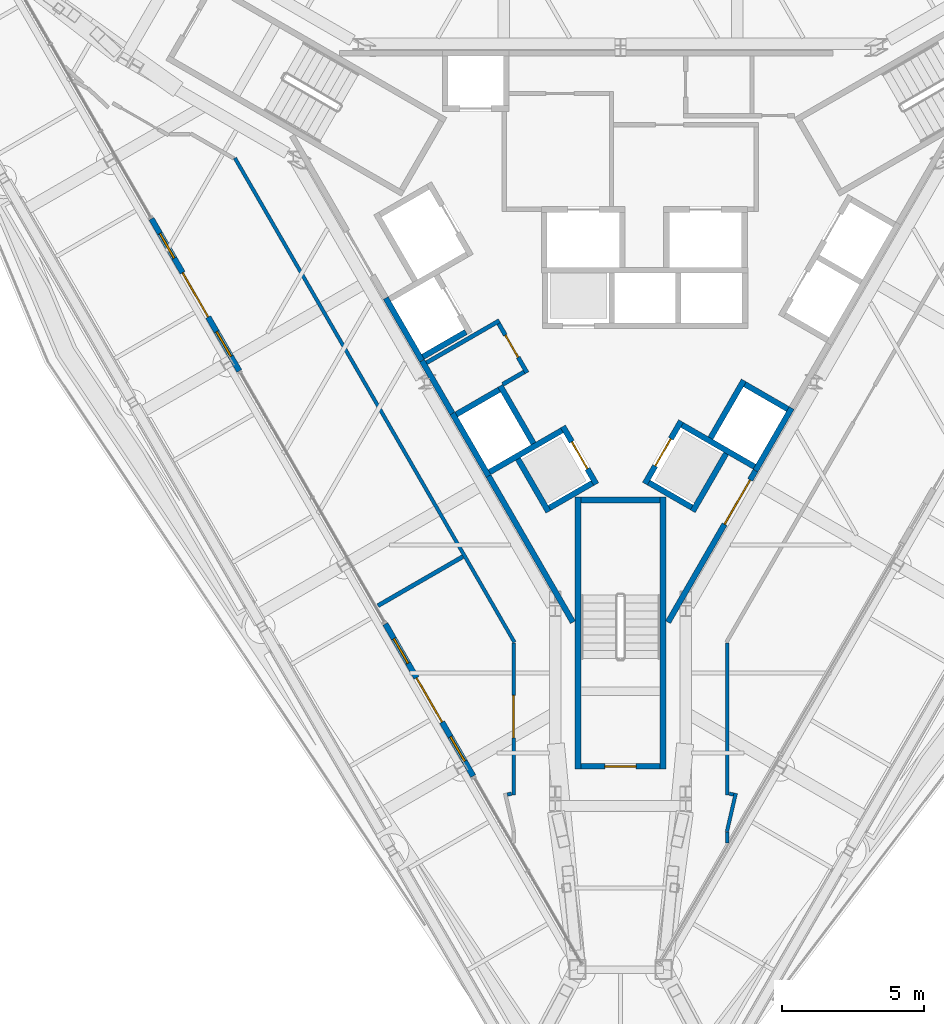
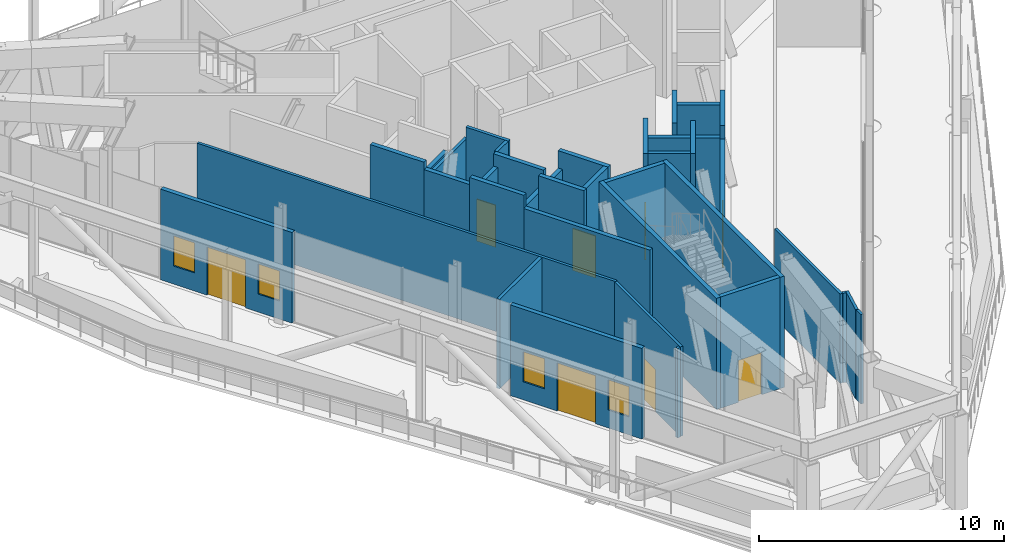
# One storey, part 15 of 25: 36 walls, 8 doors, 4 windows, 12 openings.
"""IFC4 building model written with IfcOpenShell, lengths in metres."""

from ifc_helpers import new_model, si_unit, direction, frame, frame_2d, origin, place, context, subcontext, project, spatial, rectangle, extrude, material, layer, layer_set, type_object, element, fill, save


model = new_model("IFC4")

# Units and contexts
model_context = context("Model", 3, precision=1e-05, world=origin(), true_north=direction((0.0, 1.0)))
body_context = subcontext(model_context, "Body", "Model", "MODEL_VIEW")
ifc_project = project(units=[si_unit("LENGTHUNIT", "METRE"), si_unit("AREAUNIT", "SQUARE_METRE"), si_unit("VOLUMEUNIT", "CUBIC_METRE"), si_unit("PLANEANGLEUNIT", "RADIAN"), si_unit("MASSUNIT", "GRAM", prefix="KILO")], contexts=[model_context])

# Site, building, storey
site_placement = place(None, origin())
site = spatial("IfcSite", under=ifc_project, at=site_placement, CompositionType="ELEMENT")
building_placement = place(site_placement, origin())
building = spatial("IfcBuilding", under=site, at=building_placement, Name="Verrane Prism Tower", CompositionType="ELEMENT")
storey_placement = place(building_placement, frame((0.0, 0.0, 258.199951171875)))
storey = spatial("IfcBuildingStorey", under=building, at=storey_placement, Name="L65", CompositionType="ELEMENT", Elevation=258.199951171875)

# Walls
ifc_material_1 = material(Name="Gypsum board partition", Category="other")
ifc_layer_1 = layer(ifc_material_1, 0.199951171875)
ifc_layer_set_1 = layer_set([ifc_layer_1], Name="CW-200 core boundary wall 2 h")
wall_type_1 = type_object("IfcWallType", Name="CW-200 core boundary wall 2 h", PredefinedType="PARTITIONING", material=ifc_layer_set_1)
wall_1_placement = place(storey_placement, frame((-7.0048828125, -3.18701171875, 0.0), z_axis=(0.0, 0.0, 1.0), x_axis=(0.50031363248, -0.86584425225, 0.0)))
element("IfcWall", 1, at=wall_1_placement, inside=storey, type_object=wall_type_1, Name="Core boundary wall CW3-003", PredefinedType="PARTITIONING", context=body_context, shape_type="SweptSolid", body=[
    extrude(rectangle(XDim=2.14453125, YDim=0.199951171875, at=frame_2d((1.072265625, 0.0))), origin(), (0.0, 0.0, 1.0), 5.1904296875),
])
wall_2_placement = place(storey_placement, frame((-4.655029296875, -7.257080078125, 0.0), z_axis=(0.0, 0.0, 1.0), x_axis=(0.499966124405, -0.866044960985, 0.0)))
element("IfcWall", 2, at=wall_2_placement, inside=storey, type_object=wall_type_1, Name="Core boundary wall CW3-004", PredefinedType="PARTITIONING", context=body_context, shape_type="SweptSolid", body=[
    extrude(rectangle(XDim=5.95556640625, YDim=0.199951171875, at=frame_2d((2.977783203125, 0.0))), origin(), (0.0, 0.0, 1.0), 4.896728515625),
])

# Wall, opening, door
wall_3_placement = place(storey_placement, frame((1.677490234375, -12.414794921875, 0.0), z_axis=(0.0, 0.0, 1.0), x_axis=(0.500054337157, 0.865994029939, 0.0)))
wall_3 = element("IfcWall", 3, at=wall_3_placement, inside=storey, type_object=wall_type_1, Name="Core boundary wall CW3-006", PredefinedType="PARTITIONING", context=body_context, shape_type="SweptSolid", body=[
    extrude(rectangle(XDim=6.176513671875, YDim=0.199951171875, at=frame_2d((3.08837890625, 0.0))), origin(), (0.0, 0.0, 1.0), 4.896728515625),
])
opening_1_placement = place(wall_3_placement, frame((3.9951171875, 0.0, 0.0)))
opening_1 = element("IfcOpeningElement", 4, at=opening_1_placement, cuts=wall_3, Name="Opening D65517", PredefinedType="OPENING", context=body_context, shape_type="SweptSolid", body=[
    extrude(rectangle(XDim=1.800048828125, YDim=2.10009765625, at=frame_2d((0.89990234375, 1.050048828125))), frame((0.0, 0.10986328125, 0.0), z_axis=(0.0, -1.0, 0.0), x_axis=(1.0, 0.0, 0.0)), (0.0, 0.0, 1.0), 0.219970703125),
])
ifc_material_2 = material(Name="Timber veneered door leaf", Category="wood")
door_type_1 = type_object("IfcDoorType", Name="DR-1800x2100 FD60 double leaf lift lobby", OperationType="NOTDEFINED", PredefinedType="DOOR", material=ifc_material_2)
door_1_placement = place(opening_1_placement, origin())
door_1 = element("IfcDoor", 5, at=door_1_placement, inside=storey, type_object=door_type_1, Name="Lift lobby door D65517", OperationType="DOUBLE_DOOR_SINGLE_SWING", OverallHeight=2.10009765625, OverallWidth=1.800048828125, PredefinedType="DOOR", context=body_context, shape_type="SweptSolid", body=[
    extrude(rectangle(XDim=1.800048828125, YDim=2.10009765625, at=frame_2d((0.89990234375, 1.050048828125))), frame((0.0, 0.02490234375, 0.0), z_axis=(0.0, -1.0, 0.0), x_axis=(1.0, 0.0, 0.0)), (0.0, 0.0, 1.0), 0.050048828125),
])
fill(opening_1, door_1)

ifc_material_3 = material(Name="Concrete C40/50", Category="concrete")
ifc_layer_2 = layer(ifc_material_3, 0.199951171875)
ifc_layer_set_2 = layer_set([ifc_layer_2], Name="CW-200 stair core wall concrete C40/50 3 h")
wall_type_2 = type_object("IfcWallType", Name="CW-200 stair core wall concrete C40/50 3 h", PredefinedType="PARTITIONING", material=ifc_layer_set_2)
wall_4_placement = place(storey_placement, frame((-1.39990234375, -17.5, 0.0), z_axis=(0.0, 0.0, 1.0), x_axis=(1.0, 0.0, 0.0)))
wall_4 = element("IfcWall", 6, at=wall_4_placement, inside=storey, type_object=wall_type_2, Name="Stair 3 enclosure wall", PredefinedType="PARTITIONING", context=body_context, shape_type="SweptSolid", body=[
    extrude(rectangle(XDim=2.7998046875, YDim=0.199951171875, at=frame_2d((1.39990234375, 0.0))), origin(), (0.0, 0.0, 1.0), 5.550048828125),
])
opening_2_placement = place(wall_4_placement, frame((0.85009765625, 0.0, 0.0)))
opening_2 = element("IfcOpeningElement", 7, at=opening_2_placement, cuts=wall_4, Name="Opening D65502", PredefinedType="OPENING", context=body_context, shape_type="SweptSolid", body=[
    extrude(rectangle(XDim=1.10009765625, YDim=2.10009765625, at=frame_2d((0.550048828125, 1.050048828125))), frame((0.0, 0.10986328125, 0.0), z_axis=(0.0, -1.0, 0.0), x_axis=(1.0, 0.0, 0.0)), (0.0, 0.0, 1.0), 0.219970703125),
])
ifc_material_4 = material(Name="Timber veneered door leaf", Category="wood")
door_type_2 = type_object("IfcDoorType", Name="DR-1100x2100 FD90 single leaf stair", OperationType="NOTDEFINED", PredefinedType="DOOR", material=ifc_material_4)
door_2_placement = place(opening_2_placement, origin())
door_2 = element("IfcDoor", 8, at=door_2_placement, inside=storey, type_object=door_type_2, Name="Stair 3 door", OperationType="SINGLE_SWING_LEFT", OverallHeight=2.10009765625, OverallWidth=1.10009765625, PredefinedType="DOOR", context=body_context, shape_type="SweptSolid", body=[
    extrude(rectangle(XDim=1.10009765625, YDim=2.10009765625, at=frame_2d((0.550048828125, 1.050048828125))), frame((0.0, 0.02490234375, 0.0), z_axis=(0.0, -1.0, 0.0), x_axis=(1.0, 0.0, 0.0)), (0.0, 0.0, 1.0), 0.050048828125),
])
fill(opening_2, door_2)

# Walls
for number, where, z_axis, x_axis, name in (
    (9, (1.5, -8.0, 0.0), (0.0, 0.0, 1.0), (0.0, -1.0, 0.0), "Stair 3 enclosure wall"),
    (10, (-1.5, -8.0, 0.0), (0.0, 0.0, 1.0), (0.0, -1.0, 0.0), "Stair 3 enclosure wall"),
):
    element("IfcWall", number, at=place(storey_placement, frame(where, z_axis=z_axis, x_axis=x_axis)), inside=storey, type_object=wall_type_2, Name=name, PredefinedType="PARTITIONING", context=body_context, shape_type="SweptSolid", body=[
        extrude(rectangle(XDim=9.60009765625, YDim=0.199951171875, at=frame_2d((4.800048828125, 0.0))), origin(), (0.0, 0.0, 1.0), 5.550048828125),
    ])
wall_5_placement = place(storey_placement, frame((-1.39990234375, -8.10009765625, 0.0), z_axis=(0.0, 0.0, 1.0), x_axis=(1.0, 0.0, 0.0)))
element("IfcWall", 11, at=wall_5_placement, inside=storey, type_object=wall_type_2, Name="Stair 3 enclosure wall", PredefinedType="PARTITIONING", context=body_context, shape_type="SweptSolid", body=[
    extrude(rectangle(XDim=2.7998046875, YDim=0.199951171875, at=frame_2d((1.39990234375, 0.0))), origin(), (0.0, 0.0, 1.0), 5.550048828125),
])
ifc_material_5 = material(Name="Gypsum board shaft wall assembly", Category="other")
ifc_layer_3 = layer(ifc_material_5, 0.199951171875)
ifc_layer_set_3 = layer_set([ifc_layer_3], Name="HW-200 lift shaft wall 2 h")
wall_type_3 = type_object("IfcWallType", Name="HW-200 lift shaft wall 2 h", PredefinedType="PARTITIONING", material=ifc_layer_set_3)
wall_6_placement = place(storey_placement, frame((-2.50537109375, -8.38037109375, 0.0), z_axis=(0.0, 0.0, 1.0), x_axis=(0.866002029911, 0.500040482552, 0.0)))
element("IfcWall", 12, at=wall_6_placement, inside=storey, type_object=wall_type_3, Name="Lift shaft wall", PredefinedType="PARTITIONING", context=body_context, shape_type="SweptSolid", body=[
    extrude(rectangle(XDim=1.749755859375, YDim=0.199951171875, at=frame_2d((0.875, 0.0))), origin(), (0.0, 0.0, 1.0), 5.800048828125),
])
wall_7_placement = place(storey_placement, frame((-4.61962890625, -7.118408203125, 0.0), z_axis=(0.0, 0.0, 1.0), x_axis=(0.866039495442, 0.49997559174, 0.0)))
element("IfcWall", 13, at=wall_7_placement, inside=storey, type_object=wall_type_3, Name="Lift shaft wall", PredefinedType="PARTITIONING", context=body_context, shape_type="SweptSolid", body=[
    extrude(rectangle(XDim=2.949951171875, YDim=0.199951171875, at=frame_2d((1.47509765625, 0.0))), origin(), (0.0, 0.0, 1.0), 4.932861328125),
])
for number, where, z_axis, x_axis, name in (
    (14, (-5.794677734375, -5.083251953125, 0.0), (0.0, 0.0, 1.0), (0.866036909293, 0.499980071345, 0.0), "Lift shaft wall"),
    (15, (-6.9697265625, -3.048095703125, 0.0), (0.0, 0.0, 1.0), (0.866036909293, 0.499980071345, 0.0), "Lift shaft wall"),
):
    element("IfcWall", number, at=place(storey_placement, frame(where, z_axis=z_axis, x_axis=x_axis)), inside=storey, type_object=wall_type_3, Name=name, PredefinedType="PARTITIONING", context=body_context, shape_type="SweptSolid", body=[
        extrude(rectangle(XDim=1.75, YDim=0.199951171875, at=frame_2d((0.875, 0.0))), origin(), (0.0, 0.0, 1.0), 4.932861328125),
    ])
wall_8_placement = place(storey_placement, frame((4.766357421875, -7.064697265625, 0.0), z_axis=(0.0, 0.0, 1.0), x_axis=(0.499948979701, 0.866054858364, 0.0)))
element("IfcWall", 16, at=wall_8_placement, inside=storey, type_object=wall_type_3, Name="Lift shaft wall", PredefinedType="PARTITIONING", context=body_context, shape_type="SweptSolid", body=[
    extrude(rectangle(XDim=2.550048828125, YDim=0.199951171875, at=frame_2d((1.27490234375, 0.0))), origin(), (0.0, 0.0, 1.0), 5.550048828125),
])
wall_9_placement = place(storey_placement, frame((2.552001953125, -8.499755859375, 0.0), z_axis=(0.0, 0.0, 1.0), x_axis=(0.500016218704, 0.866016039709, 0.0)))
element("IfcWall", 17, at=wall_9_placement, inside=storey, type_object=wall_type_3, Name="Lift shaft wall", PredefinedType="PARTITIONING", context=body_context, shape_type="SweptSolid", body=[
    extrude(rectangle(XDim=2.35009765625, YDim=0.199951171875, at=frame_2d((1.175048828125, 0.0))), origin(), (0.0, 0.0, 1.0), 5.800048828125),
])
wall_10_placement = place(storey_placement, frame((3.177490234375, -5.91650390625, 0.0), z_axis=(0.0, 0.0, 1.0), x_axis=(0.500016218704, 0.866016039709, 0.0)))
element("IfcWall", 18, at=wall_10_placement, inside=storey, type_object=wall_type_3, Name="Lift shaft wall", PredefinedType="PARTITIONING", context=body_context, shape_type="SweptSolid", body=[
    extrude(rectangle(XDim=2.35009765625, YDim=0.199951171875, at=frame_2d((1.175048828125, 0.0))), origin(), (0.0, 0.0, 1.0), 5.550048828125),
])

# Wall, opening, door
wall_11_placement = place(storey_placement, frame((0.86328125, -7.524658203125, 0.0), z_axis=(0.0, 0.0, 1.0), x_axis=(0.499990435942, 0.866030925526, 0.0)))
wall_11 = element("IfcWall", 19, at=wall_11_placement, inside=storey, type_object=wall_type_3, Name="Lift shaft wall", PredefinedType="PARTITIONING", context=body_context, shape_type="SweptSolid", body=[
    extrude(rectangle(XDim=2.5498046875, YDim=0.199951171875, at=frame_2d((1.27490234375, 0.0))), origin(), (0.0, 0.0, 1.0), 5.800048828125),
])
opening_3_placement = place(wall_11_placement, frame((0.72509765625, 0.0, 0.0)))
opening_3 = element("IfcOpeningElement", 20, at=opening_3_placement, cuts=wall_11, Name="Opening D65509", PredefinedType="OPENING", context=body_context, shape_type="SweptSolid", body=[
    extrude(rectangle(XDim=1.10009765625, YDim=2.10009765625, at=frame_2d((0.550048828125, 1.050048828125))), frame((0.0, 0.10986328125, 0.0), z_axis=(0.0, -1.0, 0.0), x_axis=(1.0, 0.0, 0.0)), (0.0, 0.0, 1.0), 0.219970703125),
])
ifc_material_6 = material(Name="Stainless steel sliding landing door", Category="steel")
door_type_3 = type_object("IfcDoorType", Name="LD-1100x2100 lift landing door FD90 sliding", OperationType="NOTDEFINED", PredefinedType="DOOR", material=ifc_material_6)
door_3_placement = place(opening_3_placement, origin())
door_3 = element("IfcDoor", 21, at=door_3_placement, inside=storey, type_object=door_type_3, Name="Bank C lift 3 landing door", OperationType="SLIDING_TO_LEFT", OverallHeight=2.10009765625, OverallWidth=1.10009765625, PredefinedType="DOOR", context=body_context, shape_type="SweptSolid", body=[
    extrude(rectangle(XDim=1.10009765625, YDim=2.10009765625, at=frame_2d((0.550048828125, 1.050048828125))), frame((0.0, 0.02490234375, 0.0), z_axis=(0.0, -1.0, 0.0), x_axis=(1.0, 0.0, 0.0)), (0.0, 0.0, 1.0), 0.050048828125),
])
fill(opening_3, door_3)

wall_12_placement = place(storey_placement, frame((-0.853271484375, -7.5419921875, 0.0), z_axis=(0.0, 0.0, 1.0), x_axis=(-0.500016218704, 0.866016039709, 0.0)))
wall_12 = element("IfcWall", 22, at=wall_12_placement, inside=storey, type_object=wall_type_3, Name="Lift shaft wall", PredefinedType="PARTITIONING", context=body_context, shape_type="SweptSolid", body=[
    extrude(rectangle(XDim=2.35009765625, YDim=0.199951171875, at=frame_2d((1.175048828125, 0.0))), origin(), (0.0, 0.0, 1.0), 5.800048828125),
])
opening_4_placement = place(wall_12_placement, frame((0.625, 0.0, 0.0)))
opening_4 = element("IfcOpeningElement", 23, at=opening_4_placement, cuts=wall_12, Name="Opening D65507", PredefinedType="OPENING", context=body_context, shape_type="SweptSolid", body=[
    extrude(rectangle(XDim=1.10009765625, YDim=2.10009765625, at=frame_2d((0.550048828125, 1.050048828125))), frame((0.0, 0.10986328125, 0.0), z_axis=(0.0, -1.0, 0.0), x_axis=(1.0, 0.0, 0.0)), (0.0, 0.0, 1.0), 0.219970703125),
])
door_4_placement = place(opening_4_placement, origin())
door_4 = element("IfcDoor", 24, at=door_4_placement, inside=storey, type_object=door_type_3, Name="Bank C lift 1 landing door", OperationType="SLIDING_TO_LEFT", OverallHeight=2.10009765625, OverallWidth=1.10009765625, PredefinedType="DOOR", context=body_context, shape_type="SweptSolid", body=[
    extrude(rectangle(XDim=1.10009765625, YDim=2.10009765625, at=frame_2d((0.550048828125, 1.050048828125))), frame((0.0, 0.02490234375, 0.0), z_axis=(0.0, -1.0, 0.0), x_axis=(1.0, 0.0, 0.0)), (0.0, 0.0, 1.0), 0.050048828125),
])
fill(opening_4, door_4)

# Walls
wall_13_placement = place(storey_placement, frame((-3.067626953125, -6.10693359375, 0.0), z_axis=(0.0, 0.0, 1.0), x_axis=(-0.499938297808, 0.866061024631, 0.0)))
element("IfcWall", 25, at=wall_13_placement, inside=storey, type_object=wall_type_3, Name="Lift shaft wall", PredefinedType="PARTITIONING", context=body_context, shape_type="SweptSolid", body=[
    extrude(rectangle(XDim=2.349853515625, YDim=0.199951171875, at=frame_2d((1.1748046875, 0.0))), origin(), (0.0, 0.0, 1.0), 5.550048828125),
])
wall_14_placement = place(storey_placement, frame((-2.5419921875, -8.51708984375, 0.0), z_axis=(0.0, 0.0, 1.0), x_axis=(-0.499961633463, 0.866047553582, 0.0)))
element("IfcWall", 26, at=wall_14_placement, inside=storey, type_object=wall_type_3, Name="Lift shaft wall", PredefinedType="PARTITIONING", context=body_context, shape_type="SweptSolid", body=[
    extrude(rectangle(XDim=2.150146484375, YDim=0.199951171875, at=frame_2d((1.0751953125, 0.0))), origin(), (0.0, 0.0, 1.0), 5.800048828125),
])
for number, where, z_axis, x_axis, name in (
    (27, (-4.65625, -7.255126953125, 0.0), (0.0, 0.0, 1.0), (-0.499990435942, 0.866030925526, 0.0), "Lift shaft wall"),
    (28, (-7.00634765625, -3.184814453125, 0.0), (0.0, 0.0, 1.0), (-0.499990435942, 0.866030925526, 0.0), "Lift shaft wall"),
):
    element("IfcWall", number, at=place(storey_placement, frame(where, z_axis=z_axis, x_axis=x_axis)), inside=storey, type_object=wall_type_3, Name=name, PredefinedType="PARTITIONING", context=body_context, shape_type="SweptSolid", body=[
        extrude(rectangle(XDim=2.5498046875, YDim=0.199951171875, at=frame_2d((1.27490234375, 0.0))), origin(), (0.0, 0.0, 1.0), 5.550048828125),
    ])
wall_15_placement = place(storey_placement, frame((5.904541015625, -4.892822265625, 0.0), z_axis=(0.0, 0.0, 1.0), x_axis=(-0.866002029911, 0.500040482552, 0.0)))
element("IfcWall", 29, at=wall_15_placement, inside=storey, type_object=wall_type_3, Name="Lift shaft wall", PredefinedType="PARTITIONING", context=body_context, shape_type="SweptSolid", body=[
    extrude(rectangle(XDim=1.749755859375, YDim=0.199951171875, at=frame_2d((0.875, 0.0))), origin(), (0.0, 0.0, 1.0), 4.932861328125),
])
wall_16_placement = place(storey_placement, frame((4.729736328125, -6.927978515625, 0.0), z_axis=(0.0, 0.0, 1.0), x_axis=(-0.866024349092, 0.500001826776, 0.0)))
element("IfcWall", 30, at=wall_16_placement, inside=storey, type_object=wall_type_3, Name="Lift shaft wall", PredefinedType="PARTITIONING", context=body_context, shape_type="SweptSolid", body=[
    extrude(rectangle(XDim=2.9501953125, YDim=0.199951171875, at=frame_2d((1.47509765625, 0.0))), origin(), (0.0, 0.0, 1.0), 4.932861328125),
])
wall_17_placement = place(storey_placement, frame((2.515380859375, -8.36328125, 0.0), z_axis=(0.0, 0.0, 1.0), x_axis=(-0.866036909293, 0.499980071345, 0.0)))
element("IfcWall", 31, at=wall_17_placement, inside=storey, type_object=wall_type_3, Name="Lift shaft wall", PredefinedType="PARTITIONING", context=body_context, shape_type="SweptSolid", body=[
    extrude(rectangle(XDim=1.75, YDim=0.199951171875, at=frame_2d((0.875, 0.0))), origin(), (0.0, 0.0, 1.0), 5.800048828125),
])
ifc_material_7 = material(Name="Gypsum board partition", Category="other")
ifc_layer_4 = layer(ifc_material_7, 0.125)
ifc_layer_set_4 = layer_set([ifc_layer_4], Name="PW-125 corridor wall 1 h")
wall_type_4 = type_object("IfcWallType", Name="PW-125 corridor wall 1 h", PredefinedType="PARTITIONING", material=ifc_layer_set_4)
wall_18_placement = place(storey_placement, frame((-13.605224609375, 3.965087890625, 0.0), z_axis=(0.0, 0.0, 1.0), x_axis=(0.499986289957, -0.866033319137, 0.0)))
element("IfcWall", 32, at=wall_18_placement, inside=storey, type_object=wall_type_4, Name="Corridor wall 009", PredefinedType="PARTITIONING", context=body_context, shape_type="SweptSolid", body=[
    extrude(rectangle(XDim=19.7314453125, YDim=0.125, at=frame_2d((9.86572265625, 0.0))), origin(), (0.0, 0.0, 1.0), 4.462158203125),
])
wall_19_placement = place(storey_placement, frame((-3.99169921875, -18.49755859375, 0.0), z_axis=(0.0, 0.0, 1.0), x_axis=(0.974607944108, 0.223918188812, 0.0)))
element("IfcWall", 33, at=wall_19_placement, inside=storey, type_object=wall_type_4, Name="Corridor wall 014", PredefinedType="PARTITIONING", context=body_context, shape_type="SweptSolid", body=[
    extrude(rectangle(XDim=0.151611328125, YDim=0.125, at=frame_2d((0.07568359375, 0.0))), origin(), (0.0, 0.0, 1.0), 4.462158203125),
])

# Wall, opening, door
wall_20_placement = place(storey_placement, frame((-3.77099609375, -18.509521484375, 0.0), z_axis=(0.0, 0.0, 1.0), x_axis=(0.0, 1.0, 0.0)))
wall_20 = element("IfcWall", 34, at=wall_20_placement, inside=storey, type_object=wall_type_4, Name="Corridor wall 016", PredefinedType="PARTITIONING", context=body_context, shape_type="SweptSolid", body=[
    extrude(rectangle(XDim=5.35546875, YDim=0.125, at=frame_2d((2.677734375, 0.0))), origin(), (0.0, 0.0, 1.0), 4.462158203125),
])
opening_5_placement = place(wall_20_placement, frame((2.012451171875, 0.0, 0.0)))
opening_5 = element("IfcOpeningElement", 35, at=opening_5_placement, cuts=wall_20, Name="Opening D65005", PredefinedType="OPENING", context=body_context, shape_type="SweptSolid", body=[
    extrude(rectangle(XDim=1.5, YDim=2.10009765625, at=frame_2d((0.75, 1.050048828125))), frame((0.0, 0.072509765625, 0.0), z_axis=(0.0, -1.0, 0.0), x_axis=(1.0, 0.0, 0.0)), (0.0, 0.0, 1.0), 0.14501953125),
])
ifc_material_8 = material(Name="Timber veneered door leaf", Category="wood")
door_type_4 = type_object("IfcDoorType", Name="DR-1500x2100 FD60 double leaf unit", OperationType="NOTDEFINED", PredefinedType="DOOR", material=ifc_material_8)
door_5_placement = place(opening_5_placement, origin())
door_5 = element("IfcDoor", 36, at=door_5_placement, inside=storey, type_object=door_type_4, Name="Refuge Area door", OperationType="DOUBLE_DOOR_SINGLE_SWING", OverallHeight=2.10009765625, OverallWidth=1.5, PredefinedType="DOOR", context=body_context, shape_type="SweptSolid", body=[
    extrude(rectangle(XDim=1.5, YDim=2.10009765625, at=frame_2d((0.75, 1.050048828125))), frame((0.0, 0.02490234375, 0.0), z_axis=(0.0, -1.0, 0.0), x_axis=(1.0, 0.0, 0.0)), (0.0, 0.0, 1.0), 0.050048828125),
])
fill(opening_5, door_5)

# Walls
wall_21_placement = place(storey_placement, frame((3.77099609375, -20.199951171875, 0.0), z_axis=(0.0, 0.0, 1.0), x_axis=(0.0, 1.0, 0.0)))
element("IfcWall", 37, at=wall_21_placement, inside=storey, type_object=wall_type_4, Name="Corridor wall 018", PredefinedType="PARTITIONING", context=body_context, shape_type="SweptSolid", body=[
    extrude(rectangle(XDim=0.380859375, YDim=0.125, at=frame_2d((0.1904296875, 0.0))), origin(), (0.0, 0.0, 1.0), 4.462158203125),
])
wall_22_placement = place(storey_placement, frame((3.757080078125, -19.804931640625, 0.0), z_axis=(0.0, 0.0, 1.0), x_axis=(0.224589971175, 0.974453356938, 0.0)))
element("IfcWall", 38, at=wall_22_placement, inside=storey, type_object=wall_type_4, Name="Corridor wall 019", PredefinedType="PARTITIONING", context=body_context, shape_type="SweptSolid", body=[
    extrude(rectangle(XDim=1.38916015625, YDim=0.125, at=frame_2d((0.694580078125, 0.0))), origin(), (0.0, 0.0, 1.0), 4.462158203125),
])
wall_23_placement = place(storey_placement, frame((3.77099609375, -18.509521484375, 0.0), z_axis=(0.0, 0.0, 1.0), x_axis=(0.0, 1.0, 0.0)))
element("IfcWall", 39, at=wall_23_placement, inside=storey, type_object=wall_type_4, Name="Corridor wall 020", PredefinedType="PARTITIONING", context=body_context, shape_type="SweptSolid", body=[
    extrude(rectangle(XDim=5.35546875, YDim=0.125, at=frame_2d((2.677734375, 0.0))), origin(), (0.0, 0.0, 1.0), 4.462158203125),
])
wall_24_placement = place(storey_placement, frame((3.843994140625, -18.463623046875, 0.0), z_axis=(0.0, 0.0, 1.0), x_axis=(0.974607944108, -0.223918188812, 0.0)))
element("IfcWall", 40, at=wall_24_placement, inside=storey, type_object=wall_type_4, Name="Corridor wall 021", PredefinedType="PARTITIONING", context=body_context, shape_type="SweptSolid", body=[
    extrude(rectangle(XDim=0.151611328125, YDim=0.125, at=frame_2d((0.07568359375, 0.0))), origin(), (0.0, 0.0, 1.0), 4.462158203125),
])
ifc_material_9 = material(Name="Gypsum board partition", Category="other")
ifc_layer_5 = layer(ifc_material_9, 0.14990234375)
ifc_layer_set_5 = layer_set([ifc_layer_5], Name="PW-150 demising wall 1 h")
wall_type_5 = type_object("IfcWallType", Name="PW-150 demising wall 1 h", PredefinedType="PARTITIONING", material=ifc_layer_set_5)
wall_25_placement = place(storey_placement, frame((-8.556640625, -11.830810546875, 0.0), z_axis=(0.0, 0.0, 1.0), x_axis=(0.866053925764, 0.499950595228, 0.0)))
element("IfcWall", 41, at=wall_25_placement, inside=storey, type_object=wall_type_5, Name="Demising wall 012", PredefinedType="PARTITIONING", context=body_context, shape_type="SweptSolid", body=[
    extrude(rectangle(XDim=3.458251953125, YDim=0.14990234375, at=frame_2d((1.72900390625, 0.0))), origin(), (0.0, 0.0, 1.0), 4.462158203125),
])
ifc_material_10 = material(Name="Gypsum board partition", Category="other")
ifc_layer_6 = layer(ifc_material_10, 0.14990234375)
ifc_layer_set_6 = layer_set([ifc_layer_6], Name="RS-150 riser enclosure wall 1 h")
wall_type_6 = type_object("IfcWallType", Name="RS-150 riser enclosure wall 1 h", PredefinedType="PARTITIONING", material=ifc_layer_set_6)
wall_26_placement = place(storey_placement, frame((-6.847412109375, -3.260009765625, 0.0), z_axis=(0.0, 0.0, 1.0), x_axis=(0.866017493347, 0.500013701029, 0.0)))
element("IfcWall", 42, at=wall_26_placement, inside=storey, type_object=wall_type_6, Name="Riser wall RS3-001", PredefinedType="PARTITIONING", context=body_context, shape_type="SweptSolid", body=[
    extrude(rectangle(XDim=2.97509765625, YDim=0.14990234375, at=frame_2d((1.487548828125, 0.0))), origin(), (0.0, 0.0, 1.0), 4.932861328125),
])

# Wall, opening, door
wall_27_placement = place(storey_placement, frame((-3.29541015625, -3.612060546875, 0.0), z_axis=(0.0, 0.0, 1.0), x_axis=(-0.500105229699, 0.865964640864, 0.0)))
wall_27 = element("IfcWall", 43, at=wall_27_placement, inside=storey, type_object=wall_type_6, Name="Riser wall RS3-002", PredefinedType="PARTITIONING", context=body_context, shape_type="SweptSolid", body=[
    extrude(rectangle(XDim=2.005859375, YDim=0.14990234375, at=frame_2d((1.0029296875, 0.0))), origin(), (0.0, 0.0, 1.0), 5.550048828125),
])
opening_6_placement = place(wall_27_placement, frame((0.630859375, 0.0, 0.0)))
opening_6 = element("IfcOpeningElement", 44, at=opening_6_placement, cuts=wall_27, Name="Opening D65514", PredefinedType="OPENING", context=body_context, shape_type="SweptSolid", body=[
    extrude(rectangle(XDim=0.89990234375, YDim=2.10009765625, at=frame_2d((0.449951171875, 1.050048828125))), frame((0.0, 0.0849609375, 0.0), z_axis=(0.0, -1.0, 0.0), x_axis=(1.0, 0.0, 0.0)), (0.0, 0.0, 1.0), 0.169921875),
])
ifc_material_11 = material(Name="Timber veneered door leaf", Category="wood")
door_type_5 = type_object("IfcDoorType", Name="DR-900x2100 FD20 single leaf store", OperationType="NOTDEFINED", PredefinedType="DOOR", material=ifc_material_11)
door_6_placement = place(opening_6_placement, origin())
door_6 = element("IfcDoor", 45, at=door_6_placement, inside=storey, type_object=door_type_5, Name="Room door D65514", OperationType="SINGLE_SWING_RIGHT", OverallHeight=2.10009765625, OverallWidth=0.89990234375, PredefinedType="DOOR", context=body_context, shape_type="SweptSolid", body=[
    extrude(rectangle(XDim=0.89990234375, YDim=2.10009765625, at=frame_2d((0.449951171875, 1.050048828125))), frame((0.0, 0.02490234375, 0.0), z_axis=(0.0, -1.0, 0.0), x_axis=(1.0, 0.0, 0.0)), (0.0, 0.0, 1.0), 0.050048828125),
])
fill(opening_6, door_6)

# Wall
wall_28_placement = place(storey_placement, frame((-4.154052734375, -4.02001953125, 0.0), z_axis=(0.0, 0.0, 1.0), x_axis=(0.866516116204, 0.499149096322, 0.0)))
element("IfcWall", 46, at=wall_28_placement, inside=storey, type_object=wall_type_6, Name="Riser wall RS3-003", PredefinedType="PARTITIONING", context=body_context, shape_type="SweptSolid", body=[
    extrude(rectangle(XDim=0.87255859375, YDim=0.14990234375, at=frame_2d((0.436279296875, 0.0))), origin(), (0.0, 0.0, 1.0), 5.550048828125),
])

# Wall, openings, door, windows
ifc_material_12 = material(Name="Aluminium framed insulated glazing", Category="aluminium")
ifc_layer_7 = layer(ifc_material_12, 0.199951171875)
ifc_layer_set_7 = layer_set([ifc_layer_7], Name="Refuge screen wall 200")
wall_type_7 = type_object("IfcWallType", Name="Refuge screen wall 200", PredefinedType="SOLIDWALL", material=ifc_layer_set_7)
wall_29_placement = place(storey_placement, frame((-16.548828125, 1.81982421875, 0.0), z_axis=(0.0, 0.0, 1.0), x_axis=(0.500009909098, -0.866019682689, 0.0)))
wall_29 = element("IfcWall", 47, at=wall_29_placement, inside=storey, type_object=wall_type_7, Name="Refuge screen wall south-west face L65", PredefinedType="SOLIDWALL", context=body_context, shape_type="SweptSolid", body=[
    extrude(rectangle(XDim=6.199951171875, YDim=0.199951171875, at=frame_2d((3.10009765625, 0.0))), origin(), (0.0, 0.0, 1.0), 4.5224609375),
])
opening_7_placement = place(wall_29_placement, frame((0.60009765625, 0.0, 0.89990234375)))
opening_7 = element("IfcOpeningElement", 48, at=opening_7_placement, cuts=wall_29, Name="Opening W65703", PredefinedType="OPENING", context=body_context, shape_type="SweptSolid", body=[
    extrude(rectangle(XDim=1.0, YDim=1.5, at=frame_2d((0.5, 0.75))), frame((0.0, 0.10986328125, 0.0), z_axis=(0.0, -1.0, 0.0), x_axis=(1.0, 0.0, 0.0)), (0.0, 0.0, 1.0), 0.219970703125),
])
opening_8_placement = place(wall_29_placement, frame((2.199951171875, 0.0, 0.0)))
opening_8 = element("IfcOpeningElement", 49, at=opening_8_placement, cuts=wall_29, Name="Opening D65702", PredefinedType="OPENING", context=body_context, shape_type="SweptSolid", body=[
    extrude(rectangle(XDim=1.800048828125, YDim=2.39990234375, at=frame_2d((0.89990234375, 1.199951171875))), frame((0.0, 0.10986328125, 0.0), z_axis=(0.0, -1.0, 0.0), x_axis=(1.0, 0.0, 0.0)), (0.0, 0.0, 1.0), 0.219970703125),
])
opening_9_placement = place(wall_29_placement, frame((4.60009765625, 0.0, 0.89990234375)))
opening_9 = element("IfcOpeningElement", 50, at=opening_9_placement, cuts=wall_29, Name="Opening W65704", PredefinedType="OPENING", context=body_context, shape_type="SweptSolid", body=[
    extrude(rectangle(XDim=1.0, YDim=1.5, at=frame_2d((0.5, 0.75))), frame((0.0, 0.10986328125, 0.0), z_axis=(0.0, -1.0, 0.0), x_axis=(1.0, 0.0, 0.0)), (0.0, 0.0, 1.0), 0.219970703125),
])
ifc_material_13 = material(Name="Aluminium framed glazing", Category="aluminium")
door_type_6 = type_object("IfcDoorType", Name="DR-1800x2400 double glazed garden door", OperationType="DOUBLE_DOOR_SINGLE_SWING", PredefinedType="DOOR", material=ifc_material_13)
door_7_placement = place(opening_8_placement, frame((1.800048828125, 0.0, 0.0), z_axis=(0.0, 0.0, 1.0), x_axis=(-1.0, 0.0, 0.0)))
door_7 = element("IfcDoor", 51, at=door_7_placement, inside=storey, type_object=door_type_6, Name="Refuge terrace door D65702", OperationType="DOUBLE_DOOR_SINGLE_SWING", OverallHeight=2.39990234375, OverallWidth=1.800048828125, PredefinedType="DOOR", context=body_context, shape_type="SweptSolid", body=[
    extrude(rectangle(XDim=1.800048828125, YDim=2.39990234375, at=frame_2d((0.89990234375, 1.199951171875))), frame((0.0, 0.02490234375, 0.0), z_axis=(0.0, -1.0, 0.0), x_axis=(1.0, 0.0, 0.0)), (0.0, 0.0, 1.0), 0.050048828125),
])
fill(opening_8, door_7)
ifc_material_14 = material(Name="Aluminium framed glazing", Category="aluminium")
window_type = type_object("IfcWindowType", Name="Vent window 1000x1500 top hung", PartitioningType="SINGLE_PANEL", PredefinedType="WINDOW", material=ifc_material_14)
window_1_placement = place(opening_7_placement, origin())
window_1 = element("IfcWindow", 52, at=window_1_placement, inside=storey, type_object=window_type, Name="Vent window W65703", OverallHeight=1.5, OverallWidth=1.0, PartitioningType="SINGLE_PANEL", PredefinedType="WINDOW", context=body_context, shape_type="SweptSolid", body=[
    extrude(rectangle(XDim=1.0, YDim=1.5, at=frame_2d((0.5, 0.75))), frame((0.0, 0.030029296875, 0.0), z_axis=(0.0, -1.0, 0.0), x_axis=(1.0, 0.0, 0.0)), (0.0, 0.0, 1.0), 0.06005859375),
])
fill(opening_7, window_1)
window_2_placement = place(opening_9_placement, origin())
window_2 = element("IfcWindow", 53, at=window_2_placement, inside=storey, type_object=window_type, Name="Vent window W65704", OverallHeight=1.5, OverallWidth=1.0, PartitioningType="SINGLE_PANEL", PredefinedType="WINDOW", context=body_context, shape_type="SweptSolid", body=[
    extrude(rectangle(XDim=1.0, YDim=1.5, at=frame_2d((0.5, 0.75))), frame((0.0, 0.030029296875, 0.0), z_axis=(0.0, -1.0, 0.0), x_axis=(1.0, 0.0, 0.0)), (0.0, 0.0, 1.0), 0.06005859375),
])
fill(opening_9, window_2)

wall_30_placement = place(storey_placement, frame((-8.29638671875, -12.47412109375, 0.0), z_axis=(0.0, 0.0, 1.0), x_axis=(0.500026960575, -0.86600983753, 0.0)))
wall_30 = element("IfcWall", 54, at=wall_30_placement, inside=storey, type_object=wall_type_7, Name="Refuge screen wall south-west face L65", PredefinedType="SOLIDWALL", context=body_context, shape_type="SweptSolid", body=[
    extrude(rectangle(XDim=6.199951171875, YDim=0.199951171875, at=frame_2d((3.10009765625, 0.0))), origin(), (0.0, 0.0, 1.0), 4.5224609375),
])
opening_10_placement = place(wall_30_placement, frame((0.60009765625, 0.0, 0.89990234375)))
opening_10 = element("IfcOpeningElement", 55, at=opening_10_placement, cuts=wall_30, Name="Opening W65705", PredefinedType="OPENING", context=body_context, shape_type="SweptSolid", body=[
    extrude(rectangle(XDim=1.0, YDim=1.5, at=frame_2d((0.5, 0.75))), frame((0.0, 0.10986328125, 0.0), z_axis=(0.0, -1.0, 0.0), x_axis=(1.0, 0.0, 0.0)), (0.0, 0.0, 1.0), 0.219970703125),
])
opening_11_placement = place(wall_30_placement, frame((2.199951171875, 0.0, 0.0)))
opening_11 = element("IfcOpeningElement", 56, at=opening_11_placement, cuts=wall_30, Name="Opening D65703", PredefinedType="OPENING", context=body_context, shape_type="SweptSolid", body=[
    extrude(rectangle(XDim=1.800048828125, YDim=2.39990234375, at=frame_2d((0.89990234375, 1.199951171875))), frame((0.0, 0.10986328125, 0.0), z_axis=(0.0, -1.0, 0.0), x_axis=(1.0, 0.0, 0.0)), (0.0, 0.0, 1.0), 0.219970703125),
])
opening_12_placement = place(wall_30_placement, frame((4.60009765625, 0.0, 0.89990234375)))
opening_12 = element("IfcOpeningElement", 57, at=opening_12_placement, cuts=wall_30, Name="Opening W65706", PredefinedType="OPENING", context=body_context, shape_type="SweptSolid", body=[
    extrude(rectangle(XDim=1.0, YDim=1.5, at=frame_2d((0.5, 0.75))), frame((0.0, 0.10986328125, 0.0), z_axis=(0.0, -1.0, 0.0), x_axis=(1.0, 0.0, 0.0)), (0.0, 0.0, 1.0), 0.219970703125),
])
door_8_placement = place(opening_11_placement, frame((1.800048828125, 0.0, 0.0), z_axis=(0.0, 0.0, 1.0), x_axis=(-1.0, 0.0, 0.0)))
door_8 = element("IfcDoor", 58, at=door_8_placement, inside=storey, type_object=door_type_6, Name="Refuge terrace door D65703", OperationType="DOUBLE_DOOR_SINGLE_SWING", OverallHeight=2.39990234375, OverallWidth=1.800048828125, PredefinedType="DOOR", context=body_context, shape_type="SweptSolid", body=[
    extrude(rectangle(XDim=1.800048828125, YDim=2.39990234375, at=frame_2d((0.89990234375, 1.199951171875))), frame((0.0, 0.02490234375, 0.0), z_axis=(0.0, -1.0, 0.0), x_axis=(1.0, 0.0, 0.0)), (0.0, 0.0, 1.0), 0.050048828125),
])
fill(opening_11, door_8)
window_3_placement = place(opening_10_placement, origin())
window_3 = element("IfcWindow", 59, at=window_3_placement, inside=storey, type_object=window_type, Name="Vent window W65705", OverallHeight=1.5, OverallWidth=1.0, PartitioningType="SINGLE_PANEL", PredefinedType="WINDOW", context=body_context, shape_type="SweptSolid", body=[
    extrude(rectangle(XDim=1.0, YDim=1.5, at=frame_2d((0.5, 0.75))), frame((0.0, 0.030029296875, 0.0), z_axis=(0.0, -1.0, 0.0), x_axis=(1.0, 0.0, 0.0)), (0.0, 0.0, 1.0), 0.06005859375),
])
fill(opening_10, window_3)
window_4_placement = place(opening_12_placement, origin())
window_4 = element("IfcWindow", 60, at=window_4_placement, inside=storey, type_object=window_type, Name="Vent window W65706", OverallHeight=1.5, OverallWidth=1.0, PartitioningType="SINGLE_PANEL", PredefinedType="WINDOW", context=body_context, shape_type="SweptSolid", body=[
    extrude(rectangle(XDim=1.0, YDim=1.5, at=frame_2d((0.5, 0.75))), frame((0.0, 0.030029296875, 0.0), z_axis=(0.0, -1.0, 0.0), x_axis=(1.0, 0.0, 0.0)), (0.0, 0.0, 1.0), 0.06005859375),
])
fill(opening_12, window_4)

save(model, "model.ifc")
